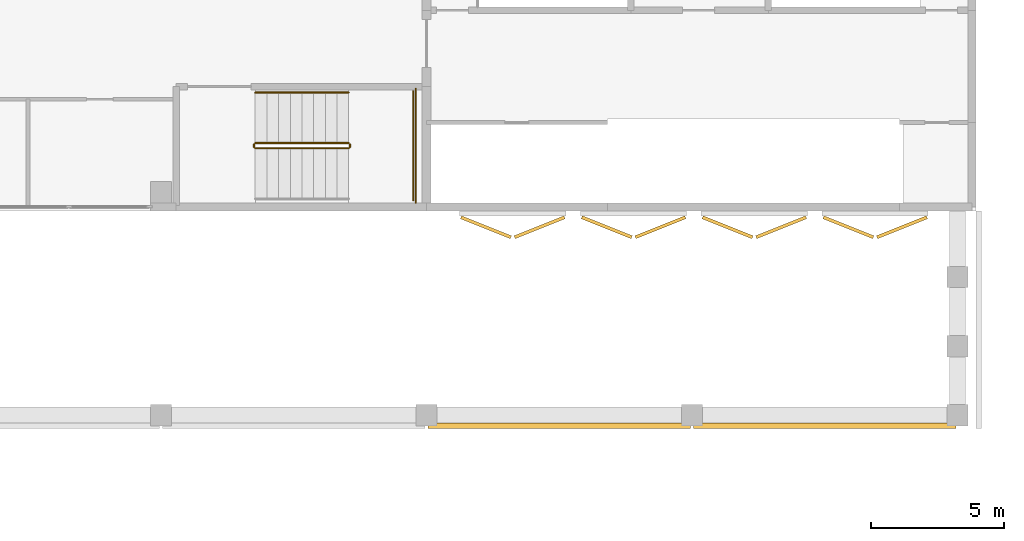
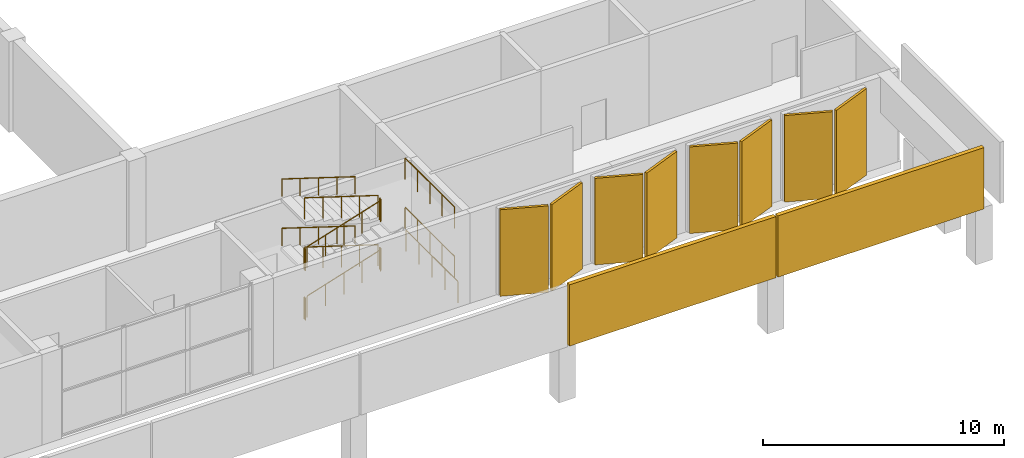
# One storey, part 33 of 36: 13 railings, 10 coverings.
"""IFC4 building model written with IfcOpenShell, lengths in metres."""

from ifc_helpers import new_model, si_unit, direction, frame, origin, origin_2d, place, context, subcontext, project, spatial, rectangle, circle, extrude, material, layer, layer_set, type_object, element, save


model = new_model("IFC4")

# Units and contexts
model_context = context("Model", 3, precision=1e-05, world=origin(), true_north=direction((0.0, 1.0)))
body_context = subcontext(model_context, "Body", "Model", "MODEL_VIEW")
ifc_project = project(units=[si_unit("LENGTHUNIT", "METRE"), si_unit("AREAUNIT", "SQUARE_METRE"), si_unit("VOLUMEUNIT", "CUBIC_METRE"), si_unit("PLANEANGLEUNIT", "RADIAN"), si_unit("MASSUNIT", "GRAM", prefix="KILO")], contexts=[model_context])

# Site, building, storey
site_placement = place(None, origin())
site = spatial("IfcSite", under=ifc_project, at=site_placement, CompositionType="ELEMENT")
building_placement = place(site_placement, origin())
building = spatial("IfcBuilding", under=site, at=building_placement, Name="Jabali Bay Hotel Tower and Convention Centre", CompositionType="ELEMENT")
storey_placement = place(building_placement, frame((0.0, 0.0, 20.39990234375)))
storey = spatial("IfcBuildingStorey", under=building, at=storey_placement, Name="L03", CompositionType="ELEMENT", Elevation=20.39990234375)

# Coverings
ifc_material_1 = material(Name="Precast concrete C40/50", Category="concrete")
ifc_layer_1 = layer(ifc_material_1, 0.1201171875)
ifc_layer_set_1 = layer_set([ifc_layer_1], Name="Precast concrete C40/50")
covering_type_1 = type_object("IfcCoveringType", Name="CC Screen blade 4000 x 4390", PredefinedType="CLADDING", material=ifc_layer_set_1)
for number, where, z_axis, x_axis, name in (
    (1, (232.93994140625, 48.67822265625, 0.10009765625), (0.0, 0.0, 1.0), (0.928476694038, -0.371390668473, 0.0), "CC pierced screen S03.1 blade 1"),
    (2, (234.9599609375, 48.67822265625, 0.10009765625), (0.0, 0.0, 1.0), (-0.928476694038, -0.371390668473, 0.0), "CC pierced screen S03.1 blade 2"),
    (3, (237.489990234375, 48.67822265625, 0.10009765625), (0.0, 0.0, 1.0), (0.928476694038, -0.371390668473, 0.0), "CC pierced screen S03.2 blade 1"),
    (4, (239.510009765625, 48.67822265625, 0.10009765625), (0.0, 0.0, 1.0), (-0.928476694038, -0.371390668473, 0.0), "CC pierced screen S03.2 blade 2"),
    (5, (242.0400390625, 48.67822265625, 0.10009765625), (0.0, 0.0, 1.0), (0.928476694038, -0.371390668473, 0.0), "CC pierced screen S03.3 blade 1"),
    (6, (244.06005859375, 48.67822265625, 0.10009765625), (0.0, 0.0, 1.0), (-0.928476694038, -0.371390668473, 0.0), "CC pierced screen S03.3 blade 2"),
    (7, (246.590087890625, 48.67822265625, 0.10009765625), (0.0, 0.0, 1.0), (0.928476694038, -0.371390668473, 0.0), "CC pierced screen S03.4 blade 1"),
    (8, (248.610107421875, 48.67822265625, 0.10009765625), (0.0, 0.0, 1.0), (-0.928476694038, -0.371390668473, 0.0), "CC pierced screen S03.4 blade 2"),
):
    element("IfcCovering", number, at=place(storey_placement, frame(where, z_axis=z_axis, x_axis=x_axis)), inside=storey, type_object=covering_type_1, Name=name, PredefinedType="CLADDING", context=body_context, shape_type="SweptSolid", body=[
        extrude(rectangle(XDim=2.02490234375, YDim=0.1201171875, at=origin_2d()), origin(), (0.0, 0.0, 1.0), 4.389892578125),
    ])
ifc_layer_2 = layer(ifc_material_1, 0.199951171875)
ifc_layer_set_2 = layer_set([ifc_layer_2], Name="Precast concrete C40/50")
covering_type_2 = type_object("IfcCoveringType", Name="CC South roof rim panel", PredefinedType="CLADDING", material=ifc_layer_set_2)
for number, where, z_axis, x_axis, name in (
    (9, (235.699951171875, 41.199951171875, 2.7900390625), (0.0, 0.0, 1.0), (1.0, 0.0, 0.0), "CC south roof rim 9"),
    (10, (245.699951171875, 41.199951171875, 2.7900390625), (0.0, 0.0, 1.0), (1.0, 0.0, 0.0), "CC south roof rim 10"),
):
    element("IfcCovering", number, at=place(storey_placement, frame(where, z_axis=z_axis, x_axis=x_axis)), inside=storey, type_object=covering_type_2, Name=name, PredefinedType="CLADDING", context=body_context, shape_type="SweptSolid", body=[
        extrude(rectangle(XDim=9.89990234375, YDim=0.199951171875, at=origin_2d()), origin(), (0.0, 0.0, 1.0), 3.110107421875),
    ])

# Railings
ifc_material_2 = material(Name="Stainless steel 304", Category="steel")
railing_type_1 = type_object("IfcRailingType", Name="CC Stair Guard 1100", PredefinedType="GUARDRAIL", material=ifc_material_2)
railing_1_placement = place(storey_placement, frame((224.25, 51.64990234375, 0.138916015625)))
element("IfcRailing", 11, at=railing_1_placement, inside=storey, type_object=railing_type_1, Name="L03 CC-STS3 stair guard 1", PredefinedType="GUARDRAIL", context=body_context, shape_type="SweptSolid", body=[
    extrude(circle(Radius=0.02392578125, at=origin_2d()), frame((0.0, 0.0, 1.076171875), z_axis=(0.953621642043, 0.0, 0.301007913229), x_axis=(0.0, 1.0, 0.0)), (0.0, 0.0, 1.0), 3.691162109375),
    extrude(circle(Radius=0.02099609375, at=origin_2d()), origin(), (0.0, 0.0, 1.0), 1.052001953125),
    extrude(circle(Radius=0.02099609375, at=origin_2d()), frame((0.8798828125, 0.0, 0.27783203125)), (0.0, 0.0, 1.0), 1.052001953125),
    extrude(circle(Radius=0.02099609375, at=origin_2d()), frame((1.760009765625, 0.0, 0.5556640625)), (0.0, 0.0, 1.0), 1.052001953125),
    extrude(circle(Radius=0.02099609375, at=origin_2d()), frame((2.64013671875, 0.0, 0.833251953125)), (0.0, 0.0, 1.0), 1.052001953125),
    extrude(circle(Radius=0.02099609375, at=origin_2d()), frame((3.52001953125, 0.0, 1.111083984375)), (0.0, 0.0, 1.0), 1.052001953125),
])
railing_2_placement = place(storey_placement, frame((227.820068359375, 51.699951171875, 1.25)))
element("IfcRailing", 12, at=railing_2_placement, inside=storey, type_object=railing_type_1, Name="L03 CC-STS3 stair guard 2", PredefinedType="GUARDRAIL", context=body_context, shape_type="SweptSolid", body=[
    extrude(circle(Radius=0.02392578125, at=origin_2d()), frame((0.0, 0.0, 1.076171875), z_axis=(0.0, 1.0, 0.0), x_axis=(-1.0, 0.0, 0.0)), (0.0, 0.0, 1.0), 0.10009765625),
    extrude(circle(Radius=0.02099609375, at=origin_2d()), origin(), (0.0, 0.0, 1.0), 1.052001953125),
    extrude(circle(Radius=0.02099609375, at=origin_2d()), frame((0.0, 0.10009765625, 0.0)), (0.0, 0.0, 1.0), 1.052001953125),
])
railing_3_placement = place(storey_placement, frame((230.199951171875, 49.699951171875, 1.25)))
element("IfcRailing", 13, at=railing_3_placement, inside=storey, type_object=railing_type_1, Name="L03 CC-STS3 stair guard 3", PredefinedType="GUARDRAIL", context=body_context, shape_type="SweptSolid", body=[
    extrude(circle(Radius=0.02392578125, at=origin_2d()), frame((0.0, 0.0, 1.076171875), z_axis=(0.0, 1.0, 0.0), x_axis=(-1.0, 0.0, 0.0)), (0.0, 0.0, 1.0), 4.10009765625),
    extrude(circle(Radius=0.02099609375, at=origin_2d()), origin(), (0.0, 0.0, 1.0), 1.052001953125),
    extrude(circle(Radius=0.02099609375, at=origin_2d()), frame((0.0, 1.02490234375, 0.0)), (0.0, 0.0, 1.0), 1.052001953125),
    extrude(circle(Radius=0.02099609375, at=origin_2d()), frame((0.0, 2.050048828125, 0.0)), (0.0, 0.0, 1.0), 1.052001953125),
    extrude(circle(Radius=0.02099609375, at=origin_2d()), frame((0.0, 3.0751953125, 0.0)), (0.0, 0.0, 1.0), 1.052001953125),
    extrude(circle(Radius=0.02099609375, at=origin_2d()), frame((0.0, 4.10009765625, 0.0)), (0.0, 0.0, 1.0), 1.052001953125),
])
railing_4_placement = place(storey_placement, frame((227.77001953125, 51.85009765625, 1.388916015625)))
element("IfcRailing", 14, at=railing_4_placement, inside=storey, type_object=railing_type_1, Name="L03 CC-STS3 stair guard 4", PredefinedType="GUARDRAIL", context=body_context, shape_type="SweptSolid", body=[
    extrude(circle(Radius=0.02392578125, at=origin_2d()), frame((0.0, 0.0, 1.076171875), z_axis=(-0.953621642043, 0.0, 0.301007913229), x_axis=(0.0, -1.0, 0.0)), (0.0, 0.0, 1.0), 3.691162109375),
    extrude(circle(Radius=0.02099609375, at=origin_2d()), origin(), (0.0, 0.0, 1.0), 1.052001953125),
    extrude(circle(Radius=0.02099609375, at=origin_2d()), frame((-0.8798828125, 0.0, 0.27783203125)), (0.0, 0.0, 1.0), 1.052001953125),
    extrude(circle(Radius=0.02099609375, at=origin_2d()), frame((-1.760009765625, 0.0, 0.5556640625)), (0.0, 0.0, 1.0), 1.052001953125),
    extrude(circle(Radius=0.02099609375, at=origin_2d()), frame((-2.64013671875, 0.0, 0.833251953125)), (0.0, 0.0, 1.0), 1.052001953125),
    extrude(circle(Radius=0.02099609375, at=origin_2d()), frame((-3.52001953125, 0.0, 1.111083984375)), (0.0, 0.0, 1.0), 1.052001953125),
])
railing_5_placement = place(storey_placement, frame((224.199951171875, 51.699951171875, 2.5)))
element("IfcRailing", 15, at=railing_5_placement, inside=storey, type_object=railing_type_1, Name="L03 CC-STS3 stair guard 5", PredefinedType="GUARDRAIL", context=body_context, shape_type="SweptSolid", body=[
    extrude(circle(Radius=0.02392578125, at=origin_2d()), frame((0.0, 0.0, 1.076171875), z_axis=(0.0, 1.0, 0.0), x_axis=(-1.0, 0.0, 0.0)), (0.0, 0.0, 1.0), 0.10009765625),
    extrude(circle(Radius=0.02099609375, at=origin_2d()), origin(), (0.0, 0.0, 1.0), 1.052001953125),
    extrude(circle(Radius=0.02099609375, at=origin_2d()), frame((0.0, 0.10009765625, 0.0)), (0.0, 0.0, 1.0), 1.052001953125),
])
railing_6_placement = place(storey_placement, frame((224.25, 51.64990234375, 2.638916015625)))
element("IfcRailing", 16, at=railing_6_placement, inside=storey, type_object=railing_type_1, Name="L03 CC-STS3 stair guard 6", PredefinedType="GUARDRAIL", context=body_context, shape_type="SweptSolid", body=[
    extrude(circle(Radius=0.02392578125, at=origin_2d()), frame((0.0, 0.0, 1.076171875), z_axis=(0.953621642043, 0.0, 0.301007913229), x_axis=(0.0, 1.0, 0.0)), (0.0, 0.0, 1.0), 3.691162109375),
    extrude(circle(Radius=0.02099609375, at=origin_2d()), origin(), (0.0, 0.0, 1.0), 1.052001953125),
    extrude(circle(Radius=0.02099609375, at=origin_2d()), frame((0.8798828125, 0.0, 0.27783203125)), (0.0, 0.0, 1.0), 1.052001953125),
    extrude(circle(Radius=0.02099609375, at=origin_2d()), frame((1.760009765625, 0.0, 0.5556640625)), (0.0, 0.0, 1.0), 1.052001953125),
    extrude(circle(Radius=0.02099609375, at=origin_2d()), frame((2.64013671875, 0.0, 0.833251953125)), (0.0, 0.0, 1.0), 1.052001953125),
    extrude(circle(Radius=0.02099609375, at=origin_2d()), frame((3.52001953125, 0.0, 1.111083984375)), (0.0, 0.0, 1.0), 1.052001953125),
])
railing_7_placement = place(storey_placement, frame((227.820068359375, 51.699951171875, 3.75)))
element("IfcRailing", 17, at=railing_7_placement, inside=storey, type_object=railing_type_1, Name="L03 CC-STS3 stair guard 7", PredefinedType="GUARDRAIL", context=body_context, shape_type="SweptSolid", body=[
    extrude(circle(Radius=0.02392578125, at=origin_2d()), frame((0.0, 0.0, 1.076171875), z_axis=(0.0, 1.0, 0.0), x_axis=(-1.0, 0.0, 0.0)), (0.0, 0.0, 1.0), 0.10009765625),
    extrude(circle(Radius=0.02099609375, at=origin_2d()), origin(), (0.0, 0.0, 1.0), 1.052001953125),
    extrude(circle(Radius=0.02099609375, at=origin_2d()), frame((0.0, 0.10009765625, 0.0)), (0.0, 0.0, 1.0), 1.052001953125),
])
railing_8_placement = place(storey_placement, frame((230.199951171875, 49.699951171875, 3.75)))
element("IfcRailing", 18, at=railing_8_placement, inside=storey, type_object=railing_type_1, Name="L03 CC-STS3 stair guard 8", PredefinedType="GUARDRAIL", context=body_context, shape_type="SweptSolid", body=[
    extrude(circle(Radius=0.02392578125, at=origin_2d()), frame((0.0, 0.0, 1.076171875), z_axis=(0.0, 1.0, 0.0), x_axis=(-1.0, 0.0, 0.0)), (0.0, 0.0, 1.0), 4.10009765625),
    extrude(circle(Radius=0.02099609375, at=origin_2d()), origin(), (0.0, 0.0, 1.0), 1.052001953125),
    extrude(circle(Radius=0.02099609375, at=origin_2d()), frame((0.0, 1.02490234375, 0.0)), (0.0, 0.0, 1.0), 1.052001953125),
    extrude(circle(Radius=0.02099609375, at=origin_2d()), frame((0.0, 2.050048828125, 0.0)), (0.0, 0.0, 1.0), 1.052001953125),
    extrude(circle(Radius=0.02099609375, at=origin_2d()), frame((0.0, 3.0751953125, 0.0)), (0.0, 0.0, 1.0), 1.052001953125),
    extrude(circle(Radius=0.02099609375, at=origin_2d()), frame((0.0, 4.10009765625, 0.0)), (0.0, 0.0, 1.0), 1.052001953125),
])
railing_9_placement = place(storey_placement, frame((227.77001953125, 51.85009765625, 3.888916015625)))
element("IfcRailing", 19, at=railing_9_placement, inside=storey, type_object=railing_type_1, Name="L03 CC-STS3 stair guard 9", PredefinedType="GUARDRAIL", context=body_context, shape_type="SweptSolid", body=[
    extrude(circle(Radius=0.02392578125, at=origin_2d()), frame((0.0, 0.0, 1.076171875), z_axis=(-0.953621642043, 0.0, 0.301007913229), x_axis=(0.0, -1.0, 0.0)), (0.0, 0.0, 1.0), 3.691162109375),
    extrude(circle(Radius=0.02099609375, at=origin_2d()), origin(), (0.0, 0.0, 1.0), 1.052001953125),
    extrude(circle(Radius=0.02099609375, at=origin_2d()), frame((-0.8798828125, 0.0, 0.27783203125)), (0.0, 0.0, 1.0), 1.052001953125),
    extrude(circle(Radius=0.02099609375, at=origin_2d()), frame((-1.760009765625, 0.0, 0.5556640625)), (0.0, 0.0, 1.0), 1.052001953125),
    extrude(circle(Radius=0.02099609375, at=origin_2d()), frame((-2.64013671875, 0.0, 0.833251953125)), (0.0, 0.0, 1.0), 1.052001953125),
    extrude(circle(Radius=0.02099609375, at=origin_2d()), frame((-3.52001953125, 0.0, 1.111083984375)), (0.0, 0.0, 1.0), 1.052001953125),
])
railing_10_placement = place(storey_placement, frame((224.199951171875, 51.699951171875, 0.0)))
element("IfcRailing", 20, at=railing_10_placement, inside=storey, type_object=railing_type_1, Name="L03 CC-STS3 stair guard 10", PredefinedType="GUARDRAIL", context=body_context, shape_type="SweptSolid", body=[
    extrude(circle(Radius=0.02392578125, at=origin_2d()), frame((0.0, 0.0, 1.076171875), z_axis=(0.0, 1.0, 0.0), x_axis=(-1.0, 0.0, 0.0)), (0.0, 0.0, 1.0), 0.10009765625),
    extrude(circle(Radius=0.02099609375, at=origin_2d()), origin(), (0.0, 0.0, 1.0), 1.052001953125),
    extrude(circle(Radius=0.02099609375, at=origin_2d()), frame((0.0, 0.10009765625, 0.0)), (0.0, 0.0, 1.0), 1.052001953125),
])
railing_11_placement = place(storey_placement, frame((230.300048828125, 49.60009765625, 0.0)))
element("IfcRailing", 21, at=railing_11_placement, inside=storey, type_object=railing_type_1, Name="L03 CC-STS3 stair guard 11", PredefinedType="GUARDRAIL", context=body_context, shape_type="SweptSolid", body=[
    extrude(circle(Radius=0.02392578125, at=origin_2d()), frame((0.0, 0.0, 1.076171875), z_axis=(0.0, 1.0, 0.0), x_axis=(-1.0, 0.0, 0.0)), (0.0, 0.0, 1.0), 4.2998046875),
    extrude(circle(Radius=0.02099609375, at=origin_2d()), origin(), (0.0, 0.0, 1.0), 1.052001953125),
    extrude(circle(Radius=0.02099609375, at=origin_2d()), frame((0.0, 1.074951171875, 0.0)), (0.0, 0.0, 1.0), 1.052001953125),
    extrude(circle(Radius=0.02099609375, at=origin_2d()), frame((0.0, 2.14990234375, 0.0)), (0.0, 0.0, 1.0), 1.052001953125),
    extrude(circle(Radius=0.02099609375, at=origin_2d()), frame((0.0, 3.224853515625, 0.0)), (0.0, 0.0, 1.0), 1.052001953125),
    extrude(circle(Radius=0.02099609375, at=origin_2d()), frame((0.0, 4.2998046875, 0.0)), (0.0, 0.0, 1.0), 1.052001953125),
])
railing_type_2 = type_object("IfcRailingType", Name="CC Stair Handrail 900", PredefinedType="HANDRAIL", material=ifc_material_2)
for number, where, name in (
    (22, (227.77001953125, 53.75, 1.388916015625), "L03 CC-STS3 stair handrail 2"),
    (23, (227.77001953125, 53.75, 3.888916015625), "L03 CC-STS3 stair handrail 4"),
):
    element("IfcRailing", number, at=place(storey_placement, frame(where)), inside=storey, type_object=railing_type_2, Name=name, PredefinedType="HANDRAIL", context=body_context, shape_type="SweptSolid", body=[
        extrude(circle(Radius=0.02392578125, at=origin_2d()), frame((0.0, 0.0, 0.8759765625), z_axis=(-0.953621642043, 0.0, 0.301007913229), x_axis=(0.0, -1.0, 0.0)), (0.0, 0.0, 1.0), 3.691162109375),
        extrude(circle(Radius=0.02099609375, at=origin_2d()), origin(), (0.0, 0.0, 1.0), 0.851806640625),
        extrude(circle(Radius=0.02099609375, at=origin_2d()), frame((-0.8798828125, 0.0, 0.27783203125)), (0.0, 0.0, 1.0), 0.851806640625),
        extrude(circle(Radius=0.02099609375, at=origin_2d()), frame((-1.760009765625, 0.0, 0.5556640625)), (0.0, 0.0, 1.0), 0.851806640625),
        extrude(circle(Radius=0.02099609375, at=origin_2d()), frame((-2.64013671875, 0.0, 0.833251953125)), (0.0, 0.0, 1.0), 0.851806640625),
        extrude(circle(Radius=0.02099609375, at=origin_2d()), frame((-3.52001953125, 0.0, 1.111083984375)), (0.0, 0.0, 1.0), 0.851806640625),
    ])

save(model, "model.ifc")
